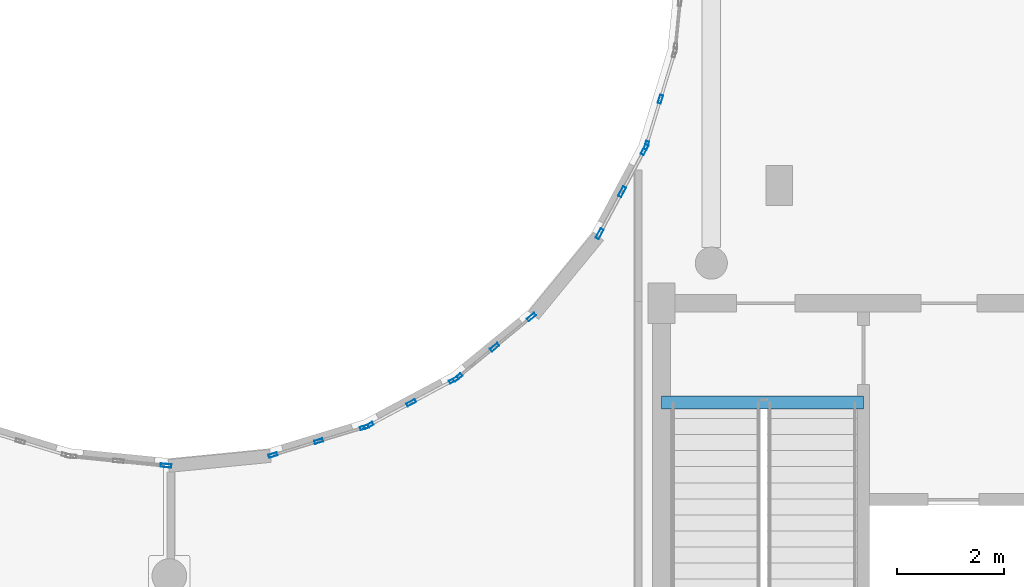
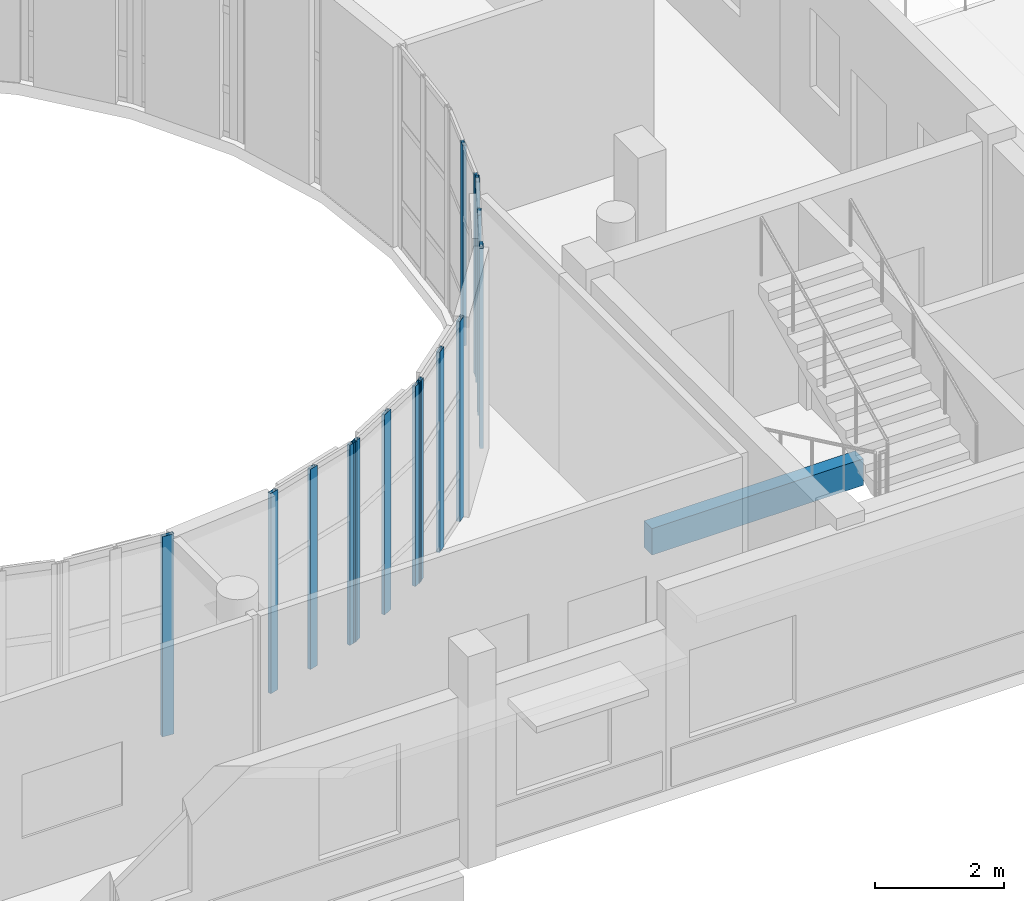
# One storey, part 30 of 89: 15 members, 1 beam, 6 elements without a shape of their own.
"""IFC4 building model written with IfcOpenShell, lengths in metres."""

from ifc_helpers import new_model, si_unit, direction, frame, origin, origin_2d, place, context, subcontext, project, spatial, rectangle, hollow_rectangle, extrude, material, layer, layer_set, material_profile, profile_set, type_object, element, aggregate, save


model = new_model("IFC4")

# Units and contexts
model_context = context("Model", 3, precision=1e-05, world=origin(), true_north=direction((0.0, 1.0)))
body_context = subcontext(model_context, "Body", "Model", "MODEL_VIEW")
ifc_project = project(units=[si_unit("LENGTHUNIT", "METRE"), si_unit("AREAUNIT", "SQUARE_METRE"), si_unit("VOLUMEUNIT", "CUBIC_METRE"), si_unit("PLANEANGLEUNIT", "RADIAN"), si_unit("MASSUNIT", "GRAM", prefix="KILO")], contexts=[model_context])

# Site, building, storey
site_placement = place(None, origin())
site = spatial("IfcSite", under=ifc_project, at=site_placement, CompositionType="ELEMENT")
building_placement = place(site_placement, origin())
building = spatial("IfcBuilding", under=site, at=building_placement, Name="Kelanivale Promenade Academy", CompositionType="ELEMENT")
storey_placement = place(building_placement, frame((0.0, 0.0, 12.199951171875)))
storey = spatial("IfcBuildingStorey", under=building, at=storey_placement, Name="L03", CompositionType="ELEMENT", Elevation=12.199951171875)

# Curtain wall, members
ifc_material_1 = material(Name="Bronze anodised aluminium and solar-control low-E glass", Category="aluminium")
ifc_layer_1 = layer(ifc_material_1, 0.179931640625)
ifc_layer_set_1 = layer_set([ifc_layer_1], Name="Bronze anodised aluminium and solar-control low-E glass")
curtain_wall_type_1 = type_object("IfcCurtainWallType", Name="CW-05 Curtain Wall 1950mm Module", PredefinedType="USERDEFINED", material=ifc_layer_set_1)
curtain_wall_1_placement = place(storey_placement, origin())
curtain_wall_1 = element("IfcCurtainWall", 1, at=curtain_wall_1_placement, inside=storey, type_object=curtain_wall_type_1, Name="L03 courtyard curtain wall CW-05", ObjectType="UNITISED GLAZING", PredefinedType="USERDEFINED")
ifc_material_2 = material(Name="Bronze anodised aluminium EN AW-6063 T6", Category="aluminium")
ifc_material_profile_1 = material_profile(ifc_material_2, hollow_rectangle(XDim=0.06005859375, YDim=0.159912109375, WallThickness=0.00390625, at=origin_2d()), Name="ALU 60x160x4.0")
ifc_profile_set_1 = profile_set([ifc_material_profile_1], Name="Bronze anodised aluminium EN AW-6063 T6")
member_type_1 = type_object("IfcMemberType", Name="CWM-01 ALU 60x160x4.0", PredefinedType="MULLION", material=ifc_profile_set_1)
member_1_placement = place(storey_placement, frame((100.73681640625, 47.36181640625, 0.0), z_axis=(0.0, 0.0, 1.0), x_axis=(-0.290127576893, 0.956987977524, 0.0)))
member_1 = element("IfcMember", 2, at=member_1_placement, type_object=member_type_1, Name="CW-05 mullion 1", PredefinedType="MULLION", context=body_context, shape_type="SweptSolid", body=[
    extrude(hollow_rectangle(XDim=0.06005859375, YDim=0.159912109375, WallThickness=0.00390625, at=origin_2d()), origin(), (0.0, 0.0, 1.0), 3.780029296875),
])
member_2_placement = place(storey_placement, frame((101.592041015625, 47.62109375, 0.0), z_axis=(0.0, 0.0, 1.0), x_axis=(-0.290127576893, 0.956987977524, 0.0)))
member_2 = element("IfcMember", 3, at=member_2_placement, type_object=member_type_1, Name="CW-05 mullion 2", PredefinedType="MULLION", context=body_context, shape_type="SweptSolid", body=[
    extrude(hollow_rectangle(XDim=0.06005859375, YDim=0.159912109375, WallThickness=0.00390625, at=origin_2d()), origin(), (0.0, 0.0, 1.0), 3.780029296875),
])
member_3_placement = place(storey_placement, frame((102.447265625, 47.88037109375, 0.0), z_axis=(0.0, 0.0, 1.0), x_axis=(-0.290127576893, 0.956987977524, 0.0)))
member_3 = element("IfcMember", 4, at=member_3_placement, type_object=member_type_1, Name="CW-05 mullion 3", PredefinedType="MULLION", context=body_context, shape_type="SweptSolid", body=[
    extrude(hollow_rectangle(XDim=0.06005859375, YDim=0.159912109375, WallThickness=0.00390625, at=origin_2d()), origin(), (0.0, 0.0, 1.0), 3.780029296875),
])
aggregate(curtain_wall_1, [member_1, member_2, member_3])

ifc_layer_2 = layer(ifc_material_1, 0.159912109375)
ifc_layer_set_2 = layer_set([ifc_layer_2], Name="Bronze anodised aluminium and solar-control low-E glass")
curtain_wall_type_2 = type_object("IfcCurtainWallType", Name="CW-09 Curtain Wall 1650mm Module", PredefinedType="USERDEFINED", material=ifc_layer_set_2)
curtain_wall_2_placement = place(storey_placement, origin())
curtain_wall_2 = element("IfcCurtainWall", 5, at=curtain_wall_2_placement, inside=storey, type_object=curtain_wall_type_2, Name="L03 courtyard curtain wall CW-09", ObjectType="UNITISED GLAZING", PredefinedType="USERDEFINED")
member_4_placement = place(storey_placement, frame((107.7197265625, 53.15283203125, 0.0), z_axis=(0.0, 0.0, 1.0), x_axis=(-0.957024404432, 0.290007395287, 0.0)))
member_4 = element("IfcMember", 6, at=member_4_placement, type_object=member_type_1, Name="CW-09 mullion 1", PredefinedType="MULLION", context=body_context, shape_type="SweptSolid", body=[
    extrude(hollow_rectangle(XDim=0.06005859375, YDim=0.159912109375, WallThickness=0.00390625, at=origin_2d()), origin(), (0.0, 0.0, 1.0), 3.780029296875),
])
member_5_placement = place(storey_placement, frame((107.98095703125, 54.014892578125, 0.0), z_axis=(0.0, 0.0, 1.0), x_axis=(-0.957024404432, 0.290007395287, 0.0)))
member_5 = element("IfcMember", 7, at=member_5_placement, type_object=member_type_1, Name="CW-09 mullion 2", PredefinedType="MULLION", context=body_context, shape_type="SweptSolid", body=[
    extrude(hollow_rectangle(XDim=0.06005859375, YDim=0.159912109375, WallThickness=0.00390625, at=origin_2d()), origin(), (0.0, 0.0, 1.0), 3.780029296875),
])
aggregate(curtain_wall_2, [member_4, member_5])

ifc_layer_3 = layer(ifc_material_1, 0.159912109375)
ifc_layer_set_3 = layer_set([ifc_layer_3], Name="Bronze anodised aluminium and solar-control low-E glass")
curtain_wall_type_3 = type_object("IfcCurtainWallType", Name="CW-06 Curtain Wall 1200mm Module", PredefinedType="USERDEFINED", material=ifc_layer_set_3)
curtain_wall_3_placement = place(storey_placement, origin())
curtain_wall_3 = element("IfcCurtainWall", 8, at=curtain_wall_3_placement, inside=storey, type_object=curtain_wall_type_3, Name="L03 courtyard curtain wall CW-06", ObjectType="UNITISED GLAZING", PredefinedType="USERDEFINED")
ifc_material_profile_2 = material_profile(ifc_material_2, hollow_rectangle(XDim=0.06005859375, YDim=0.179931640625, WallThickness=0.00390625, at=origin_2d()), Name="ALU 60x180x4.0")
ifc_profile_set_2 = profile_set([ifc_material_profile_2], Name="Bronze anodised aluminium EN AW-6063 T6")
member_type_2 = type_object("IfcMemberType", Name="CWM-02 ALU 60x180x4.0", PredefinedType="MULLION", material=ifc_profile_set_2)
member_6_placement = place(storey_placement, frame((102.52734375, 47.9140625, 0.0), z_axis=(0.0, 0.0, 1.0), x_axis=(-0.471312481286, 0.881966294698, 0.0)))
member_6 = element("IfcMember", 9, at=member_6_placement, type_object=member_type_2, Name="CW-06 mullion 1", PredefinedType="MULLION", context=body_context, shape_type="SweptSolid", body=[
    extrude(hollow_rectangle(XDim=0.06005859375, YDim=0.179931640625, WallThickness=0.00390625, at=origin_2d()), origin(), (0.0, 0.0, 1.0), 3.780029296875),
])
member_7_placement = place(storey_placement, frame((103.322509765625, 48.339111328125, 0.0), z_axis=(0.0, 0.0, 1.0), x_axis=(-0.471312481286, 0.881966294698, 0.0)))
member_7 = element("IfcMember", 10, at=member_7_placement, type_object=member_type_2, Name="CW-06 mullion 2", PredefinedType="MULLION", context=body_context, shape_type="SweptSolid", body=[
    extrude(hollow_rectangle(XDim=0.06005859375, YDim=0.179931640625, WallThickness=0.00390625, at=origin_2d()), origin(), (0.0, 0.0, 1.0), 3.780029296875),
])
member_8_placement = place(storey_placement, frame((104.117431640625, 48.763916015625, 0.0), z_axis=(0.0, 0.0, 1.0), x_axis=(-0.471312481286, 0.881966294698, 0.0)))
member_8 = element("IfcMember", 11, at=member_8_placement, type_object=member_type_2, Name="CW-06 mullion 3", PredefinedType="MULLION", context=body_context, shape_type="SweptSolid", body=[
    extrude(hollow_rectangle(XDim=0.06005859375, YDim=0.179931640625, WallThickness=0.00390625, at=origin_2d()), origin(), (0.0, 0.0, 1.0), 3.780029296875),
])
aggregate(curtain_wall_3, [member_6, member_7, member_8])

ifc_layer_4 = layer(ifc_material_1, 0.169921875)
ifc_layer_set_4 = layer_set([ifc_layer_4], Name="Bronze anodised aluminium and solar-control low-E glass")
curtain_wall_type_4 = type_object("IfcCurtainWallType", Name="CW-07 Curtain Wall 1350mm Module", PredefinedType="USERDEFINED", material=ifc_layer_set_4)
curtain_wall_4_placement = place(storey_placement, origin())
curtain_wall_4 = element("IfcCurtainWall", 12, at=curtain_wall_4_placement, inside=storey, type_object=curtain_wall_type_4, Name="L03 courtyard curtain wall CW-07", ObjectType="UNITISED GLAZING", PredefinedType="USERDEFINED")
ifc_material_profile_3 = material_profile(ifc_material_2, hollow_rectangle(XDim=0.06494140625, YDim=0.175048828125, WallThickness=0.00390625, at=origin_2d()), Name="ALU 65x175x4.0")
ifc_profile_set_3 = profile_set([ifc_material_profile_3], Name="Bronze anodised aluminium EN AW-6063 T6")
member_type_3 = type_object("IfcMemberType", Name="CWM-03 ALU 65x175x4.0", PredefinedType="MULLION", material=ifc_profile_set_3)
member_9_placement = place(storey_placement, frame((104.192138671875, 48.813720703125, 0.0), z_axis=(0.0, 0.0, 1.0), x_axis=(-0.634092539482, 0.773257170269, 0.0)))
member_9 = element("IfcMember", 13, at=member_9_placement, type_object=member_type_3, Name="CW-07 mullion 1", PredefinedType="MULLION", context=body_context, shape_type="SweptSolid", body=[
    extrude(hollow_rectangle(XDim=0.06494140625, YDim=0.175048828125, WallThickness=0.00390625, at=origin_2d()), origin(), (0.0, 0.0, 1.0), 3.780029296875),
])
member_10_placement = place(storey_placement, frame((104.881103515625, 49.37841796875, 0.0), z_axis=(0.0, 0.0, 1.0), x_axis=(-0.634092539482, 0.773257170269, 0.0)))
member_10 = element("IfcMember", 14, at=member_10_placement, type_object=member_type_3, Name="CW-07 mullion 2", PredefinedType="MULLION", context=body_context, shape_type="SweptSolid", body=[
    extrude(hollow_rectangle(XDim=0.06494140625, YDim=0.175048828125, WallThickness=0.00390625, at=origin_2d()), origin(), (0.0, 0.0, 1.0), 3.780029296875),
])
member_11_placement = place(storey_placement, frame((105.56982421875, 49.943359375, 0.0), z_axis=(0.0, 0.0, 1.0), x_axis=(-0.634092539482, 0.773257170269, 0.0)))
member_11 = element("IfcMember", 15, at=member_11_placement, type_object=member_type_3, Name="CW-07 mullion 3", PredefinedType="MULLION", context=body_context, shape_type="SweptSolid", body=[
    extrude(hollow_rectangle(XDim=0.06494140625, YDim=0.175048828125, WallThickness=0.00390625, at=origin_2d()), origin(), (0.0, 0.0, 1.0), 3.780029296875),
])
aggregate(curtain_wall_4, [member_9, member_10, member_11])

# Curtain wall, member
ifc_layer_5 = layer(ifc_material_1, 0.169921875)
ifc_layer_set_5 = layer_set([ifc_layer_5], Name="Bronze anodised aluminium and solar-control low-E glass")
curtain_wall_type_5 = type_object("IfcCurtainWallType", Name="CW-04 Curtain Wall 1800mm Module", PredefinedType="USERDEFINED", material=ifc_layer_set_5)
curtain_wall_5_placement = place(storey_placement, origin())
curtain_wall_5 = element("IfcCurtainWall", 16, at=curtain_wall_5_placement, inside=storey, type_object=curtain_wall_type_5, Name="L03 courtyard curtain wall CW-04", ObjectType="UNITISED GLAZING", PredefinedType="USERDEFINED")
ifc_material_profile_4 = material_profile(ifc_material_2, hollow_rectangle(XDim=0.06494140625, YDim=0.199951171875, WallThickness=0.00439453125, at=origin_2d()), Name="ALU 65x200x4.5")
ifc_profile_set_4 = profile_set([ifc_material_profile_4], Name="Bronze anodised aluminium EN AW-6063 T6")
member_type_4 = type_object("IfcMemberType", Name="CWM-04 ALU 65x200x4.5", PredefinedType="MULLION", material=ifc_profile_set_4)
member_12_placement = place(storey_placement, frame((98.73876953125, 47.165283203125, 0.0), z_axis=(0.0, 0.0, 1.0), x_axis=(0.098538762159, 0.99513321337, 0.0)))
member_12 = element("IfcMember", 17, at=member_12_placement, type_object=member_type_4, Name="CW-04 mullion 3", PredefinedType="MULLION", context=body_context, shape_type="SweptSolid", body=[
    extrude(hollow_rectangle(XDim=0.06494140625, YDim=0.199951171875, WallThickness=0.00439453125, at=origin_2d()), origin(), (0.0, 0.0, 1.0), 3.780029296875),
])
aggregate(curtain_wall_5, [member_12])

# Curtain wall, members
ifc_layer_6 = layer(ifc_material_1, 0.179931640625)
ifc_layer_set_6 = layer_set([ifc_layer_6], Name="Bronze anodised aluminium and solar-control low-E glass")
curtain_wall_type_6 = type_object("IfcCurtainWallType", Name="CW-08 Curtain Wall 1500mm Module", PredefinedType="USERDEFINED", material=ifc_layer_set_6)
curtain_wall_6_placement = place(storey_placement, origin())
curtain_wall_6 = element("IfcCurtainWall", 18, at=curtain_wall_6_placement, inside=storey, type_object=curtain_wall_type_6, Name="L03 courtyard curtain wall CW-08", ObjectType="UNITISED GLAZING", PredefinedType="USERDEFINED")
member_13_placement = place(storey_placement, frame((106.84423828125, 51.49755859375, 0.0), z_axis=(0.0, 0.0, 1.0), x_axis=(-0.881978204448, 0.471290193914, 0.0)))
member_13 = element("IfcMember", 19, at=member_13_placement, type_object=member_type_4, Name="CW-08 mullion 1", PredefinedType="MULLION", context=body_context, shape_type="SweptSolid", body=[
    extrude(hollow_rectangle(XDim=0.06494140625, YDim=0.199951171875, WallThickness=0.00439453125, at=origin_2d()), origin(), (0.0, 0.0, 1.0), 3.780029296875),
])
member_14_placement = place(storey_placement, frame((107.264404296875, 52.283935546875, 0.0), z_axis=(0.0, 0.0, 1.0), x_axis=(-0.881978204448, 0.471290193914, 0.0)))
member_14 = element("IfcMember", 20, at=member_14_placement, type_object=member_type_4, Name="CW-08 mullion 2", PredefinedType="MULLION", context=body_context, shape_type="SweptSolid", body=[
    extrude(hollow_rectangle(XDim=0.06494140625, YDim=0.199951171875, WallThickness=0.00439453125, at=origin_2d()), origin(), (0.0, 0.0, 1.0), 3.780029296875),
])
member_15_placement = place(storey_placement, frame((107.6845703125, 53.0703125, 0.0), z_axis=(0.0, 0.0, 1.0), x_axis=(-0.881978204448, 0.471290193914, 0.0)))
member_15 = element("IfcMember", 21, at=member_15_placement, type_object=member_type_4, Name="CW-08 mullion 3", PredefinedType="MULLION", context=body_context, shape_type="SweptSolid", body=[
    extrude(hollow_rectangle(XDim=0.06494140625, YDim=0.199951171875, WallThickness=0.00439453125, at=origin_2d()), origin(), (0.0, 0.0, 1.0), 3.780029296875),
])
aggregate(curtain_wall_6, [member_13, member_14, member_15])

# Beam
ifc_material_3 = material(Name="Concrete C35/45", Category="concrete")
ifc_material_profile_5 = material_profile(ifc_material_3, rectangle(XDim=0.25, YDim=0.5, at=origin_2d()), Name="RC-BM 250x500")
ifc_profile_set_5 = profile_set([ifc_material_profile_5], Name="Concrete C35/45")
beam_type = type_object("IfcBeamType", Name="LN-02 RC-BM 250x500", PredefinedType="LINTEL", material=ifc_profile_set_5)
beam_placement = place(storey_placement, frame((108.0, 48.344970703125, -0.25), z_axis=(1.0, 0.0, 0.0), x_axis=(0.0, 1.0, 0.0)))
element("IfcBeam", 22, at=beam_placement, inside=storey, type_object=beam_type, Name="CORE-3 stair arrival trimmer beam L03", PredefinedType="LINTEL", context=body_context, shape_type="SweptSolid", body=[
    extrude(rectangle(XDim=0.25, YDim=0.5, at=origin_2d()), origin(), (0.0, 0.0, 1.0), 3.77490234375),
])

save(model, "model.ifc")
